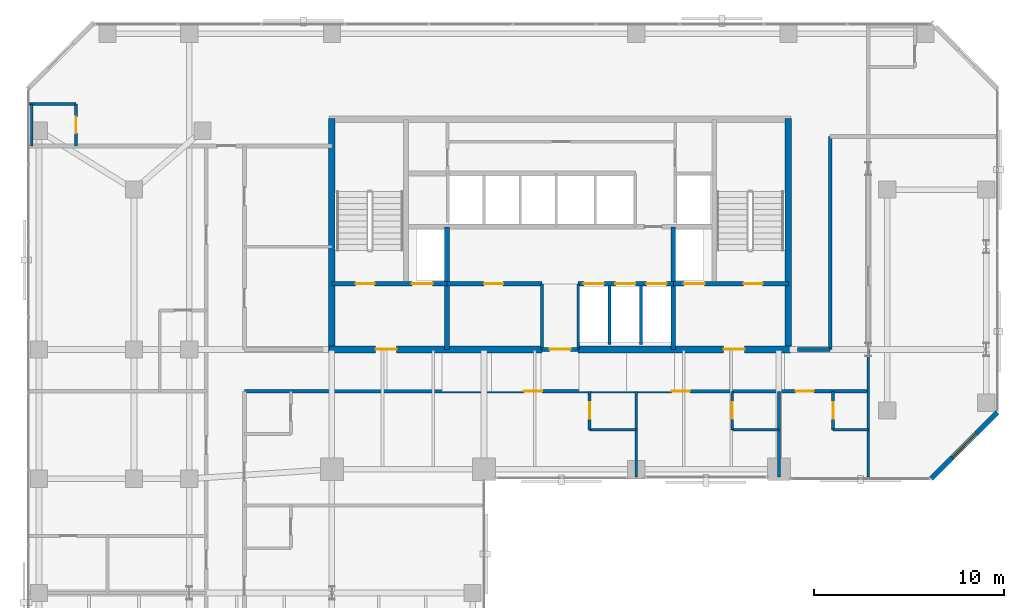
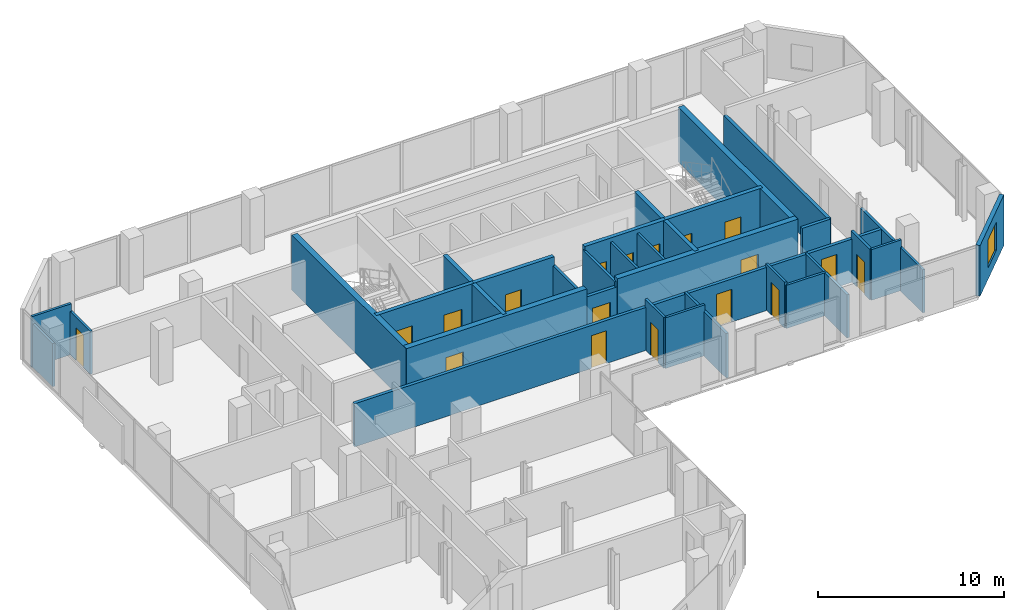
# One storey, part 29 of 34: 31 walls, 18 doors, 1 window, 19 openings.
"""IFC4 building model written with IfcOpenShell, lengths in metres."""

from ifc_helpers import new_model, si_unit, direction, frame, frame_2d, origin, place, context, subcontext, project, spatial, rectangle, extrude, material, layer, layer_set, type_object, element, fill, save


model = new_model("IFC4")

# Units and contexts
model_context = context("Model", 3, precision=1e-05, world=origin(), true_north=direction((0.0, 1.0)))
body_context = subcontext(model_context, "Body", "Model", "MODEL_VIEW")
ifc_project = project(units=[si_unit("LENGTHUNIT", "METRE"), si_unit("AREAUNIT", "SQUARE_METRE"), si_unit("VOLUMEUNIT", "CUBIC_METRE"), si_unit("PLANEANGLEUNIT", "RADIAN"), si_unit("MASSUNIT", "GRAM", prefix="KILO")], contexts=[model_context])

# Site, building, storey
site_placement = place(None, origin())
site = spatial("IfcSite", under=ifc_project, at=site_placement, CompositionType="ELEMENT")
building_placement = place(site_placement, origin())
building = spatial("IfcBuilding", under=site, at=building_placement, Name="Catumbela Crestline Tower", CompositionType="ELEMENT")
storey_placement = place(building_placement, frame((0.0, 0.0, 97.2)))
storey = spatial("IfcBuildingStorey", under=building, at=storey_placement, Name="L24", CompositionType="ELEMENT", Elevation=97.2)

# Walls
ifc_material_1 = material(Name="Concrete C50/60", Category="concrete")
ifc_layer_1 = layer(ifc_material_1, 0.25, Name="Concrete C50/60")
ifc_layer_set_1 = layer_set([ifc_layer_1], Name="Concrete C50/60")
wall_type_1 = type_object("IfcWallType", Name="CW-250D", PredefinedType="SHEAR", material=ifc_layer_set_1)
for number, where, z_axis, x_axis, name in (
    (1, (22.05, 30.8, 0.0), (0.0, 0.0, 1.0), (0.0, 1.0, 0.0), "L24 Structural Core Shear Wall FFW"),
    (2, (33.95, 30.8, 0.0), (0.0, 0.0, 1.0), (0.0, 1.0, 0.0), "L24 Structural Core Shear Wall FFE"),
):
    element("IfcWall", number, at=place(storey_placement, frame(where, z_axis=z_axis, x_axis=x_axis)), inside=storey, type_object=wall_type_1, Name=name, PredefinedType="SHEAR", context=body_context, shape_type="SweptSolid", body=[
        extrude(rectangle(XDim=6.45, YDim=0.25, at=frame_2d((3.225, 0.0))), origin(), (0.0, 0.0, 1.0), 3.6),
    ])

# Wall, openings, doors
wall_1_placement = place(storey_placement, frame((16.0, 34.25, 0.0), z_axis=(0.0, 0.0, 1.0), x_axis=(1.0, 0.0, 0.0)))
wall_1 = element("IfcWall", 3, at=wall_1_placement, inside=storey, type_object=wall_type_1, Name="L24 Structural Core Shear Wall ST1S", PredefinedType="SHEAR", context=body_context, shape_type="SweptSolid", body=[
    extrude(rectangle(XDim=6.05, YDim=0.25, at=frame_2d((3.025, 0.0))), origin(), (0.0, 0.0, 1.0), 3.6),
])
opening_1_placement = place(wall_1_placement, frame((1.25, 0.0, 0.0)))
opening_1 = element("IfcOpeningElement", 4, at=opening_1_placement, cuts=wall_1, Name="Opening DF9-100", PredefinedType="OPENING", context=body_context, shape_type="SweptSolid", body=[
    extrude(rectangle(XDim=1.0, YDim=2.15, at=frame_2d((0.5, 1.075))), frame((0.0, 0.135, 0.0), z_axis=(0.0, -1.0, 0.0), x_axis=(1.0, 0.0, 0.0)), (0.0, 0.0, 1.0), 0.27),
])
opening_2_placement = place(wall_1_placement, frame((4.2, 0.0, 0.0)))
opening_2 = element("IfcOpeningElement", 5, at=opening_2_placement, cuts=wall_1, Name="Opening LD-110", PredefinedType="OPENING", context=body_context, shape_type="SweptSolid", body=[
    extrude(rectangle(XDim=1.1, YDim=2.15, at=frame_2d((0.55, 1.075))), frame((0.0, 0.135, 0.0), z_axis=(0.0, -1.0, 0.0), x_axis=(1.0, 0.0, 0.0)), (0.0, 0.0, 1.0), 0.27),
])
ifc_material_2 = material(Name="Stainless steel EN 1.4401", Category="steel")
door_type_1 = type_object("IfcDoorType", Name="DF9-100", OperationType="NOTDEFINED", PredefinedType="DOOR", material=ifc_material_2)
door_1_placement = place(opening_1_placement, origin())
door_1 = element("IfcDoor", 6, at=door_1_placement, inside=storey, type_object=door_type_1, Name="L24 Interior Door DR-L24-ST01", OperationType="SINGLE_SWING_LEFT", OverallHeight=2.15, OverallWidth=1.0, PredefinedType="DOOR", context=body_context, shape_type="SweptSolid", body=[
    extrude(rectangle(XDim=1.0, YDim=2.15, at=frame_2d((0.5, 1.075))), frame((0.0, 0.025, 0.0), z_axis=(0.0, -1.0, 0.0), x_axis=(1.0, 0.0, 0.0)), (0.0, 0.0, 1.0), 0.05),
])
fill(opening_1, door_1)
door_type_2 = type_object("IfcDoorType", Name="LD-110", OperationType="NOTDEFINED", PredefinedType="DOOR", material=ifc_material_2)
door_2_placement = place(opening_2_placement, origin())
door_2 = element("IfcDoor", 7, at=door_2_placement, inside=storey, type_object=door_type_2, Name="L24 Lift Landing Sliding Door FL-01", OperationType="DOUBLE_DOOR_SLIDING", OverallHeight=2.15, OverallWidth=1.1, PredefinedType="DOOR", context=body_context, shape_type="SweptSolid", body=[
    extrude(rectangle(XDim=1.1, YDim=2.15, at=frame_2d((0.55, 1.075))), frame((0.0, 0.025, 0.0), z_axis=(0.0, -1.0, 0.0), x_axis=(1.0, 0.0, 0.0)), (0.0, 0.0, 1.0), 0.05),
])
fill(opening_2, door_2)

wall_2_placement = place(storey_placement, frame((33.95, 34.25, 0.0), z_axis=(0.0, 0.0, 1.0), x_axis=(1.0, 0.0, 0.0)))
wall_2 = element("IfcWall", 8, at=wall_2_placement, inside=storey, type_object=wall_type_1, Name="L24 Structural Core Shear Wall ST2S", PredefinedType="SHEAR", context=body_context, shape_type="SweptSolid", body=[
    extrude(rectangle(XDim=6.05, YDim=0.25, at=frame_2d((3.025, 0.0))), origin(), (0.0, 0.0, 1.0), 3.6),
])
opening_3_placement = place(wall_2_placement, frame((3.7, 0.0, 0.0)))
opening_3 = element("IfcOpeningElement", 9, at=opening_3_placement, cuts=wall_2, Name="Opening DF9-100", PredefinedType="OPENING", context=body_context, shape_type="SweptSolid", body=[
    extrude(rectangle(XDim=1.0, YDim=2.15, at=frame_2d((0.5, 1.075))), frame((0.0, 0.135, 0.0), z_axis=(0.0, -1.0, 0.0), x_axis=(1.0, 0.0, 0.0)), (0.0, 0.0, 1.0), 0.27),
])
opening_4_placement = place(wall_2_placement, frame((0.55, 0.0, 0.0)))
opening_4 = element("IfcOpeningElement", 10, at=opening_4_placement, cuts=wall_2, Name="Opening LD-110", PredefinedType="OPENING", context=body_context, shape_type="SweptSolid", body=[
    extrude(rectangle(XDim=1.1, YDim=2.15, at=frame_2d((0.55, 1.075))), frame((0.0, 0.135, 0.0), z_axis=(0.0, -1.0, 0.0), x_axis=(1.0, 0.0, 0.0)), (0.0, 0.0, 1.0), 0.27),
])
door_3_placement = place(opening_3_placement, origin())
door_3 = element("IfcDoor", 11, at=door_3_placement, inside=storey, type_object=door_type_1, Name="L24 Interior Door DR-L24-ST02", OperationType="SINGLE_SWING_RIGHT", OverallHeight=2.15, OverallWidth=1.0, PredefinedType="DOOR", context=body_context, shape_type="SweptSolid", body=[
    extrude(rectangle(XDim=1.0, YDim=2.15, at=frame_2d((0.5, 1.075))), frame((0.0, 0.025, 0.0), z_axis=(0.0, -1.0, 0.0), x_axis=(1.0, 0.0, 0.0)), (0.0, 0.0, 1.0), 0.05),
])
fill(opening_3, door_3)
door_4_placement = place(opening_4_placement, origin())
door_4 = element("IfcDoor", 12, at=door_4_placement, inside=storey, type_object=door_type_2, Name="L24 Lift Landing Sliding Door FL-02", OperationType="DOUBLE_DOOR_SLIDING", OverallHeight=2.15, OverallWidth=1.1, PredefinedType="DOOR", context=body_context, shape_type="SweptSolid", body=[
    extrude(rectangle(XDim=1.1, YDim=2.15, at=frame_2d((0.55, 1.075))), frame((0.0, 0.025, 0.0), z_axis=(0.0, -1.0, 0.0), x_axis=(1.0, 0.0, 0.0)), (0.0, 0.0, 1.0), 0.05),
])
fill(opening_4, door_4)

# Wall, opening, door
wall_3_placement = place(storey_placement, frame((22.05, 34.25, 0.0), z_axis=(0.0, 0.0, 1.0), x_axis=(1.0, 0.0, 0.0)))
wall_3 = element("IfcWall", 13, at=wall_3_placement, inside=storey, type_object=wall_type_1, Name="L24 Structural Core Shear Wall LIFTS-W", PredefinedType="SHEAR", context=body_context, shape_type="SweptSolid", body=[
    extrude(rectangle(XDim=5.0, YDim=0.25, at=frame_2d((2.5, 0.0))), origin(), (0.0, 0.0, 1.0), 3.6),
])
opening_5_placement = place(wall_3_placement, frame((1.95, 0.0, 0.0)))
opening_5 = element("IfcOpeningElement", 14, at=opening_5_placement, cuts=wall_3, Name="Opening DF9-100", PredefinedType="OPENING", context=body_context, shape_type="SweptSolid", body=[
    extrude(rectangle(XDim=1.0, YDim=2.15, at=frame_2d((0.5, 1.075))), frame((0.0, 0.135, 0.0), z_axis=(0.0, -1.0, 0.0), x_axis=(1.0, 0.0, 0.0)), (0.0, 0.0, 1.0), 0.27),
])
door_5_placement = place(opening_5_placement, origin())
door_5 = element("IfcDoor", 15, at=door_5_placement, inside=storey, type_object=door_type_1, Name="L24 Interior Door DR-L24-RECL1", OperationType="SINGLE_SWING_LEFT", OverallHeight=2.15, OverallWidth=1.0, PredefinedType="DOOR", context=body_context, shape_type="SweptSolid", body=[
    extrude(rectangle(XDim=1.0, YDim=2.15, at=frame_2d((0.5, 1.075))), frame((0.0, 0.025, 0.0), z_axis=(0.0, -1.0, 0.0), x_axis=(1.0, 0.0, 0.0)), (0.0, 0.0, 1.0), 0.05),
])
fill(opening_5, door_5)

# Wall, openings, doors
wall_4_placement = place(storey_placement, frame((28.95, 34.25, 0.0), z_axis=(0.0, 0.0, 1.0), x_axis=(1.0, 0.0, 0.0)))
wall_4 = element("IfcWall", 16, at=wall_4_placement, inside=storey, type_object=wall_type_1, Name="L24 Structural Core Shear Wall LIFTS-E", PredefinedType="SHEAR", context=body_context, shape_type="SweptSolid", body=[
    extrude(rectangle(XDim=5.0, YDim=0.25, at=frame_2d((2.5, 0.0))), origin(), (0.0, 0.0, 1.0), 3.6),
])
opening_6_placement = place(wall_4_placement, frame((0.3, 0.0, 0.0)))
opening_6 = element("IfcOpeningElement", 17, at=opening_6_placement, cuts=wall_4, Name="Opening LD-105", PredefinedType="OPENING", context=body_context, shape_type="SweptSolid", body=[
    extrude(rectangle(XDim=1.05, YDim=2.15, at=frame_2d((0.525, 1.075))), frame((0.0, 0.135, 0.0), z_axis=(0.0, -1.0, 0.0), x_axis=(1.0, 0.0, 0.0)), (0.0, 0.0, 1.0), 0.27),
])
opening_7_placement = place(wall_4_placement, frame((1.95, 0.0, 0.0)))
opening_7 = element("IfcOpeningElement", 18, at=opening_7_placement, cuts=wall_4, Name="Opening LD-105", PredefinedType="OPENING", context=body_context, shape_type="SweptSolid", body=[
    extrude(rectangle(XDim=1.05, YDim=2.15, at=frame_2d((0.525, 1.075))), frame((0.0, 0.135, 0.0), z_axis=(0.0, -1.0, 0.0), x_axis=(1.0, 0.0, 0.0)), (0.0, 0.0, 1.0), 0.27),
])
opening_8_placement = place(wall_4_placement, frame((3.6, 0.0, 0.0)))
opening_8 = element("IfcOpeningElement", 19, at=opening_8_placement, cuts=wall_4, Name="Opening LD-105", PredefinedType="OPENING", context=body_context, shape_type="SweptSolid", body=[
    extrude(rectangle(XDim=1.05, YDim=2.15, at=frame_2d((0.525, 1.075))), frame((0.0, 0.135, 0.0), z_axis=(0.0, -1.0, 0.0), x_axis=(1.0, 0.0, 0.0)), (0.0, 0.0, 1.0), 0.27),
])
door_type_3 = type_object("IfcDoorType", Name="LD-105", OperationType="NOTDEFINED", PredefinedType="DOOR", material=ifc_material_2)
door_6_placement = place(opening_6_placement, origin())
door_6 = element("IfcDoor", 20, at=door_6_placement, inside=storey, type_object=door_type_3, Name="L24 Lift Landing Sliding Door PL-M1", OperationType="DOUBLE_DOOR_SLIDING", OverallHeight=2.15, OverallWidth=1.05, PredefinedType="DOOR", context=body_context, shape_type="SweptSolid", body=[
    extrude(rectangle(XDim=1.05, YDim=2.15, at=frame_2d((0.525, 1.075))), frame((0.0, 0.025, 0.0), z_axis=(0.0, -1.0, 0.0), x_axis=(1.0, 0.0, 0.0)), (0.0, 0.0, 1.0), 0.05),
])
fill(opening_6, door_6)
door_7_placement = place(opening_7_placement, origin())
door_7 = element("IfcDoor", 21, at=door_7_placement, inside=storey, type_object=door_type_3, Name="L24 Lift Landing Sliding Door PL-M2", OperationType="DOUBLE_DOOR_SLIDING", OverallHeight=2.15, OverallWidth=1.05, PredefinedType="DOOR", context=body_context, shape_type="SweptSolid", body=[
    extrude(rectangle(XDim=1.05, YDim=2.15, at=frame_2d((0.525, 1.075))), frame((0.0, 0.025, 0.0), z_axis=(0.0, -1.0, 0.0), x_axis=(1.0, 0.0, 0.0)), (0.0, 0.0, 1.0), 0.05),
])
fill(opening_7, door_7)
door_8_placement = place(opening_8_placement, origin())
door_8 = element("IfcDoor", 22, at=door_8_placement, inside=storey, type_object=door_type_3, Name="L24 Lift Landing Sliding Door PL-M3", OperationType="DOUBLE_DOOR_SLIDING", OverallHeight=2.15, OverallWidth=1.05, PredefinedType="DOOR", context=body_context, shape_type="SweptSolid", body=[
    extrude(rectangle(XDim=1.05, YDim=2.15, at=frame_2d((0.525, 1.075))), frame((0.0, 0.025, 0.0), z_axis=(0.0, -1.0, 0.0), x_axis=(1.0, 0.0, 0.0)), (0.0, 0.0, 1.0), 0.05),
])
fill(opening_8, door_8)

# Walls
ifc_layer_2 = layer(ifc_material_1, 0.35, Name="Concrete C50/60")
ifc_layer_set_2 = layer_set([ifc_layer_2], Name="Concrete C50/60")
wall_type_2 = type_object("IfcWallType", Name="CW-350B", PredefinedType="SHEAR", material=ifc_layer_set_2)
for number, where, z_axis, x_axis, name in (
    (23, (16.0, 30.65, 0.0), (0.0, 0.0, 1.0), (0.0, 1.0, 0.0), "L24 Structural Core Shear Wall W"),
    (24, (40.0, 30.65, 0.0), (0.0, 0.0, 1.0), (0.0, 1.0, 0.0), "L24 Structural Core Shear Wall E"),
):
    element("IfcWall", number, at=place(storey_placement, frame(where, z_axis=z_axis, x_axis=x_axis)), inside=storey, type_object=wall_type_2, Name=name, PredefinedType="SHEAR", context=body_context, shape_type="SweptSolid", body=[
        extrude(rectangle(XDim=12.3, YDim=0.35, at=frame_2d((6.15, 0.0))), origin(), (0.0, 0.0, 1.0), 3.6),
    ])

# Wall, opening, door
wall_5_placement = place(storey_placement, frame((15.85, 30.8, 0.0), z_axis=(0.0, 0.0, 1.0), x_axis=(1.0, 0.0, 0.0)))
wall_5 = element("IfcWall", 25, at=wall_5_placement, inside=storey, type_object=wall_type_2, Name="L24 Structural Core Shear Wall SW", PredefinedType="SHEAR", context=body_context, shape_type="SweptSolid", body=[
    extrude(rectangle(XDim=11.2, YDim=0.35, at=frame_2d((5.6, 0.0))), origin(), (0.0, 0.0, 1.0), 3.6),
])
opening_9_placement = place(wall_5_placement, frame((2.45, 0.0, 0.0)))
opening_9 = element("IfcOpeningElement", 26, at=opening_9_placement, cuts=wall_5, Name="Opening DF9-110", PredefinedType="OPENING", context=body_context, shape_type="SweptSolid", body=[
    extrude(rectangle(XDim=1.1, YDim=2.15, at=frame_2d((0.55, 1.075))), frame((0.0, 0.185, 0.0), z_axis=(0.0, -1.0, 0.0), x_axis=(1.0, 0.0, 0.0)), (0.0, 0.0, 1.0), 0.37),
])
door_type_4 = type_object("IfcDoorType", Name="DF9-110", OperationType="NOTDEFINED", PredefinedType="DOOR", material=ifc_material_2)
door_9_placement = place(opening_9_placement, origin())
door_9 = element("IfcDoor", 27, at=door_9_placement, inside=storey, type_object=door_type_4, Name="L24 Interior Door DR-L24-FFW-S", OperationType="SINGLE_SWING_LEFT", OverallHeight=2.15, OverallWidth=1.1, PredefinedType="DOOR", context=body_context, shape_type="SweptSolid", body=[
    extrude(rectangle(XDim=1.1, YDim=2.15, at=frame_2d((0.55, 1.075))), frame((0.0, 0.025, 0.0), z_axis=(0.0, -1.0, 0.0), x_axis=(1.0, 0.0, 0.0)), (0.0, 0.0, 1.0), 0.05),
])
fill(opening_9, door_9)

wall_6_placement = place(storey_placement, frame((28.95, 30.8, 0.0), z_axis=(0.0, 0.0, 1.0), x_axis=(1.0, 0.0, 0.0)))
wall_6 = element("IfcWall", 28, at=wall_6_placement, inside=storey, type_object=wall_type_2, Name="L24 Structural Core Shear Wall SE", PredefinedType="SHEAR", context=body_context, shape_type="SweptSolid", body=[
    extrude(rectangle(XDim=11.2, YDim=0.35, at=frame_2d((5.6, 0.0))), origin(), (0.0, 0.0, 1.0), 3.6),
])
opening_10_placement = place(wall_6_placement, frame((7.65, 0.0, 0.0)))
opening_10 = element("IfcOpeningElement", 29, at=opening_10_placement, cuts=wall_6, Name="Opening DF9-110", PredefinedType="OPENING", context=body_context, shape_type="SweptSolid", body=[
    extrude(rectangle(XDim=1.1, YDim=2.15, at=frame_2d((0.55, 1.075))), frame((0.0, 0.185, 0.0), z_axis=(0.0, -1.0, 0.0), x_axis=(1.0, 0.0, 0.0)), (0.0, 0.0, 1.0), 0.37),
])
door_10_placement = place(opening_10_placement, origin())
door_10 = element("IfcDoor", 30, at=door_10_placement, inside=storey, type_object=door_type_4, Name="L24 Interior Door DR-L24-FFE-S", OperationType="SINGLE_SWING_RIGHT", OverallHeight=2.15, OverallWidth=1.1, PredefinedType="DOOR", context=body_context, shape_type="SweptSolid", body=[
    extrude(rectangle(XDim=1.1, YDim=2.15, at=frame_2d((0.55, 1.075))), frame((0.0, 0.025, 0.0), z_axis=(0.0, -1.0, 0.0), x_axis=(1.0, 0.0, 0.0)), (0.0, 0.0, 1.0), 0.05),
])
fill(opening_10, door_10)

ifc_material_3 = material(Name="Acoustic gypsum and mineral-wool partition")
ifc_layer_3 = layer(ifc_material_3, 0.2, Name="Acoustic gypsum and mineral-wool partition")
ifc_layer_set_3 = layer_set([ifc_layer_3], Name="Acoustic gypsum and mineral-wool partition")
wall_type_3 = type_object("IfcWallType", Name="WC-200", PredefinedType="PARTITIONING", material=ifc_layer_set_3)
wall_7_placement = place(storey_placement, frame((27.05, 30.8, 0.0), z_axis=(0.0, 0.0, 1.0), x_axis=(1.0, 0.0, 0.0)))
wall_7 = element("IfcWall", 31, at=wall_7_placement, inside=storey, type_object=wall_type_3, Name="L24 Interior Partition PW-L24-CLOBS", PredefinedType="PARTITIONING", context=body_context, shape_type="SweptSolid", body=[
    extrude(rectangle(XDim=1.9, YDim=0.2, at=frame_2d((0.95, 0.0))), origin(), (0.0, 0.0, 1.0), 3.02),
])
opening_11_placement = place(wall_7_placement, frame((0.4, 0.0, 0.0)))
opening_11 = element("IfcOpeningElement", 32, at=opening_11_placement, cuts=wall_7, Name="Opening DF9-110", PredefinedType="OPENING", context=body_context, shape_type="SweptSolid", body=[
    extrude(rectangle(XDim=1.1, YDim=2.15, at=frame_2d((0.55, 1.075))), frame((0.0, 0.11, 0.0), z_axis=(0.0, -1.0, 0.0), x_axis=(1.0, 0.0, 0.0)), (0.0, 0.0, 1.0), 0.22),
])
door_11_placement = place(opening_11_placement, origin())
door_11 = element("IfcDoor", 33, at=door_11_placement, inside=storey, type_object=door_type_4, Name="L24 Interior Door DR-L24-CLOBS", OperationType="SINGLE_SWING_LEFT", OverallHeight=2.15, OverallWidth=1.1, PredefinedType="DOOR", context=body_context, shape_type="SweptSolid", body=[
    extrude(rectangle(XDim=1.1, YDim=2.15, at=frame_2d((0.55, 1.075))), frame((0.0, 0.025, 0.0), z_axis=(0.0, -1.0, 0.0), x_axis=(1.0, 0.0, 0.0)), (0.0, 0.0, 1.0), 0.05),
])
fill(opening_11, door_11)

# Wall, openings, doors
wall_8_placement = place(storey_placement, frame((11.4, 28.6, 0.0), z_axis=(0.0, 0.0, 1.0), x_axis=(1.0, 0.0, 0.0)))
wall_8 = element("IfcWall", 34, at=wall_8_placement, inside=storey, type_object=wall_type_3, Name="L24 Interior Partition PW-L24-Z2CW-N2", PredefinedType="PARTITIONING", context=body_context, shape_type="SweptSolid", body=[
    extrude(rectangle(XDim=32.8, YDim=0.2, at=frame_2d((16.4, 0.0))), origin(), (0.0, 0.0, 1.0), 2.83),
])
opening_12_placement = place(wall_8_placement, frame((14.7, 0.0, 0.0)))
opening_12 = element("IfcOpeningElement", 35, at=opening_12_placement, cuts=wall_8, Name="Opening DF6-095", PredefinedType="OPENING", context=body_context, shape_type="SweptSolid", body=[
    extrude(rectangle(XDim=0.95, YDim=2.15, at=frame_2d((0.475, 1.075))), frame((0.0, 0.11, 0.0), z_axis=(0.0, -1.0, 0.0), x_axis=(1.0, 0.0, 0.0)), (0.0, 0.0, 1.0), 0.22),
])
opening_13_placement = place(wall_8_placement, frame((22.475, 0.0, 0.0)))
opening_13 = element("IfcOpeningElement", 36, at=opening_13_placement, cuts=wall_8, Name="Opening DF6-095", PredefinedType="OPENING", context=body_context, shape_type="SweptSolid", body=[
    extrude(rectangle(XDim=0.95, YDim=2.15, at=frame_2d((0.475, 1.075))), frame((0.0, 0.11, 0.0), z_axis=(0.0, -1.0, 0.0), x_axis=(1.0, 0.0, 0.0)), (0.0, 0.0, 1.0), 0.22),
])
opening_14_placement = place(wall_8_placement, frame((28.985, 0.0, 0.0)))
opening_14 = element("IfcOpeningElement", 37, at=opening_14_placement, cuts=wall_8, Name="Opening DF6-095", PredefinedType="OPENING", context=body_context, shape_type="SweptSolid", body=[
    extrude(rectangle(XDim=0.95, YDim=2.15, at=frame_2d((0.475, 1.075))), frame((0.0, 0.11, 0.0), z_axis=(0.0, -1.0, 0.0), x_axis=(1.0, 0.0, 0.0)), (0.0, 0.0, 1.0), 0.22),
])
ifc_material_4 = material(Name="Aluminium alloy AW-6060-T66", Category="aluminium")
door_type_5 = type_object("IfcDoorType", Name="DF6-095", OperationType="NOTDEFINED", PredefinedType="DOOR", material=ifc_material_4)
door_12_placement = place(opening_12_placement, origin())
door_12 = element("IfcDoor", 38, at=door_12_placement, inside=storey, type_object=door_type_5, Name="L24 Interior Door DR-L24-SS1-ENT", OperationType="SINGLE_SWING_RIGHT", OverallHeight=2.15, OverallWidth=0.95, PredefinedType="DOOR", context=body_context, shape_type="SweptSolid", body=[
    extrude(rectangle(XDim=0.95, YDim=2.15, at=frame_2d((0.475, 1.075))), frame((0.0, 0.025, 0.0), z_axis=(0.0, -1.0, 0.0), x_axis=(1.0, 0.0, 0.0)), (0.0, 0.0, 1.0), 0.05),
])
fill(opening_12, door_12)
door_13_placement = place(opening_13_placement, origin())
door_13 = element("IfcDoor", 39, at=door_13_placement, inside=storey, type_object=door_type_5, Name="L24 Interior Door DR-L24-SS2-ENT", OperationType="SINGLE_SWING_LEFT", OverallHeight=2.15, OverallWidth=0.95, PredefinedType="DOOR", context=body_context, shape_type="SweptSolid", body=[
    extrude(rectangle(XDim=0.95, YDim=2.15, at=frame_2d((0.475, 1.075))), frame((0.0, 0.025, 0.0), z_axis=(0.0, -1.0, 0.0), x_axis=(1.0, 0.0, 0.0)), (0.0, 0.0, 1.0), 0.05),
])
fill(opening_13, door_13)
door_14_placement = place(opening_14_placement, origin())
door_14 = element("IfcDoor", 40, at=door_14_placement, inside=storey, type_object=door_type_5, Name="L24 Interior Door DR-L24-SS3-ENT", OperationType="SINGLE_SWING_RIGHT", OverallHeight=2.15, OverallWidth=0.95, PredefinedType="DOOR", context=body_context, shape_type="SweptSolid", body=[
    extrude(rectangle(XDim=0.95, YDim=2.15, at=frame_2d((0.475, 1.075))), frame((0.0, 0.025, 0.0), z_axis=(0.0, -1.0, 0.0), x_axis=(1.0, 0.0, 0.0)), (0.0, 0.0, 1.0), 0.05),
])
fill(opening_14, door_14)

# Walls
wall_9_placement = place(storey_placement, frame((40.47, 30.8, 0.0), z_axis=(0.0, 0.0, 1.0), x_axis=(1.0, 0.0, 0.0)))
element("IfcWall", 41, at=wall_9_placement, inside=storey, type_object=wall_type_3, Name="L24 Interior Partition PW-L24-Z2CW-E1", PredefinedType="PARTITIONING", context=body_context, shape_type="SweptSolid", body=[
    extrude(rectangle(XDim=1.73, YDim=0.2, at=frame_2d((0.865, 0.0))), origin(), (0.0, 0.0, 1.0), 2.83),
])
wall_10_placement = place(storey_placement, frame((42.2, 30.8, 0.0), z_axis=(0.0, 0.0, 1.0), x_axis=(0.0, 1.0, 0.0)))
element("IfcWall", 42, at=wall_10_placement, inside=storey, type_object=wall_type_3, Name="L24 Interior Partition PW-L24-Z2CW-E2", PredefinedType="PARTITIONING", context=body_context, shape_type="SweptSolid", body=[
    extrude(rectangle(XDim=11.2, YDim=0.2, at=frame_2d((5.6, 0.0))), origin(), (0.0, 0.0, 1.0), 2.83),
])

# Wall, opening, window
ifc_material_5 = material(Name="Angolan grey-ochre granite", Category="masonry")
ifc_layer_4 = layer(ifc_material_5, 0.25, Name="Angolan grey-ochre granite")
ifc_layer_set_4 = layer_set([ifc_layer_4], Name="Angolan grey-ochre granite")
wall_type_4 = type_object("IfcWallType", Name="WE-250", PredefinedType="STANDARD", material=ifc_layer_set_4)
wall_11_placement = place(storey_placement, frame((47.5, 24.0, 0.0), z_axis=(0.0, 0.0, 1.0), x_axis=(0.707106781187, 0.707106781187, 0.0)))
wall_11 = element("IfcWall", 43, at=wall_11_placement, inside=storey, type_object=wall_type_4, Name="L24 Granite Punched Window Wall 4-1", PredefinedType="STANDARD", context=body_context, shape_type="SweptSolid", body=[
    extrude(rectangle(XDim=4.9497, YDim=0.25, at=frame_2d((2.4748, 0.0))), origin(), (0.0, 0.0, 1.0), 3.33),
])
opening_15_placement = place(wall_11_placement, frame((1.5749, 0.0, 0.75)))
opening_15 = element("IfcOpeningElement", 44, at=opening_15_placement, cuts=wall_11, Name="Opening WN-01", PredefinedType="OPENING", context=body_context, shape_type="SweptSolid", body=[
    extrude(rectangle(XDim=1.8, YDim=1.85, at=frame_2d((0.9, 0.925))), frame((0.0, 0.135, 0.0), z_axis=(0.0, -1.0, 0.0), x_axis=(1.0, 0.0, 0.0)), (0.0, 0.0, 1.0), 0.27),
])
ifc_material_6 = material(Name="Low-E laminated solar-control double glazing", Category="glass")
window_type = type_object("IfcWindowType", Name="WF-1800", PartitioningType="SINGLE_PANEL", PredefinedType="WINDOW", material=ifc_material_6)
window_placement = place(opening_15_placement, origin())
window = element("IfcWindow", 45, at=window_placement, inside=storey, type_object=window_type, Name="L24 Facade Vision Window 141", OverallHeight=1.85, OverallWidth=1.8, PartitioningType="SINGLE_PANEL", PredefinedType="WINDOW", context=body_context, shape_type="SweptSolid", body=[
    extrude(rectangle(XDim=1.8, YDim=1.85, at=frame_2d((0.9, 0.925))), frame((0.0, 0.03, 0.0), z_axis=(0.0, -1.0, 0.0), x_axis=(1.0, 0.0, 0.0)), (0.0, 0.0, 1.0), 0.06),
])
fill(opening_15, window)

# Wall
ifc_layer_5 = layer(ifc_material_3, 0.15, Name="Acoustic gypsum and mineral-wool partition")
ifc_layer_set_5 = layer_set([ifc_layer_5], Name="Acoustic gypsum and mineral-wool partition")
wall_type_5 = type_object("IfcWallType", Name="WP-150", PredefinedType="PARTITIONING", material=ifc_layer_set_5)
wall_12_placement = place(storey_placement, frame((0.1, 43.7, 0.0), z_axis=(0.0, 0.0, 1.0), x_axis=(1.0, 0.0, 0.0)))
element("IfcWall", 46, at=wall_12_placement, inside=storey, type_object=wall_type_5, Name="L24 Interior Partition PW-L24-Z2NWT-BHW", PredefinedType="PARTITIONING", context=body_context, shape_type="SweptSolid", body=[
    extrude(rectangle(XDim=2.45, YDim=0.15, at=frame_2d((1.225, 0.0))), origin(), (0.0, 0.0, 1.0), 3.33),
])

# Wall, opening, door
wall_13_placement = place(storey_placement, frame((2.55, 41.5, 0.0), z_axis=(0.0, 0.0, 1.0), x_axis=(0.0, 1.0, 0.0)))
wall_13 = element("IfcWall", 47, at=wall_13_placement, inside=storey, type_object=wall_type_5, Name="L24 Interior Partition PW-L24-Z2NWT-BEW", PredefinedType="PARTITIONING", context=body_context, shape_type="SweptSolid", body=[
    extrude(rectangle(XDim=2.2, YDim=0.15, at=frame_2d((1.1, 0.0))), origin(), (0.0, 0.0, 1.0), 2.83),
])
opening_16_placement = place(wall_13_placement, frame((0.675, 0.0, 0.0)))
opening_16 = element("IfcOpeningElement", 48, at=opening_16_placement, cuts=wall_13, Name="Opening DI-085", PredefinedType="OPENING", context=body_context, shape_type="SweptSolid", body=[
    extrude(rectangle(XDim=0.85, YDim=2.15, at=frame_2d((0.425, 1.075))), frame((0.0, 0.085, 0.0), z_axis=(0.0, -1.0, 0.0), x_axis=(1.0, 0.0, 0.0)), (0.0, 0.0, 1.0), 0.17),
])
door_type_6 = type_object("IfcDoorType", Name="DI-085", OperationType="NOTDEFINED", PredefinedType="DOOR", material=ifc_material_4)
door_15_placement = place(opening_16_placement, origin())
door_15 = element("IfcDoor", 49, at=door_15_placement, inside=storey, type_object=door_type_6, Name="L24 Interior Door DR-L24-Z2NWT-BTH", OperationType="SINGLE_SWING_LEFT", OverallHeight=2.15, OverallWidth=0.85, PredefinedType="DOOR", context=body_context, shape_type="SweptSolid", body=[
    extrude(rectangle(XDim=0.85, YDim=2.15, at=frame_2d((0.425, 1.075))), frame((0.0, 0.025, 0.0), z_axis=(0.0, -1.0, 0.0), x_axis=(1.0, 0.0, 0.0)), (0.0, 0.0, 1.0), 0.05),
])
fill(opening_16, door_15)

# Walls
wall_14_placement = place(storey_placement, frame((0.22, 41.5, 0.0), z_axis=(0.0, 0.0, 1.0), x_axis=(0.0, 1.0, 0.0)))
element("IfcWall", 50, at=wall_14_placement, inside=storey, type_object=wall_type_5, Name="L24 Interior Partition PW-L24-Z2NWT-BCL-2", PredefinedType="PARTITIONING", context=body_context, shape_type="SweptSolid", body=[
    extrude(rectangle(XDim=2.2, YDim=0.15, at=frame_2d((1.1, 0.0))), origin(), (0.0, 0.0, 1.0), 2.83),
])
wall_15_placement = place(storey_placement, frame((29.55, 26.576, 0.0), z_axis=(0.0, 0.0, 1.0), x_axis=(1.0, 0.0, 0.0)))
element("IfcWall", 51, at=wall_15_placement, inside=storey, type_object=wall_type_5, Name="L24 Interior Partition PW-L24-SS1-BHW", PredefinedType="PARTITIONING", context=body_context, shape_type="SweptSolid", body=[
    extrude(rectangle(XDim=2.45, YDim=0.15, at=frame_2d((1.225, 0.0))), origin(), (0.0, 0.0, 1.0), 3.33),
])

# Wall, opening, door
wall_16_placement = place(storey_placement, frame((29.55, 26.576, 0.0), z_axis=(0.0, 0.0, 1.0), x_axis=(0.0, 1.0, 0.0)))
wall_16 = element("IfcWall", 52, at=wall_16_placement, inside=storey, type_object=wall_type_5, Name="L24 Interior Partition PW-L24-SS1-BWW", PredefinedType="PARTITIONING", context=body_context, shape_type="SweptSolid", body=[
    extrude(rectangle(XDim=2.024, YDim=0.15, at=frame_2d((1.012, 0.0))), origin(), (0.0, 0.0, 1.0), 3.33),
])
opening_17_placement = place(wall_16_placement, frame((0.587, 0.0, 0.0)))
opening_17 = element("IfcOpeningElement", 53, at=opening_17_placement, cuts=wall_16, Name="Opening DI-085", PredefinedType="OPENING", context=body_context, shape_type="SweptSolid", body=[
    extrude(rectangle(XDim=0.85, YDim=2.15, at=frame_2d((0.425, 1.075))), frame((0.0, 0.085, 0.0), z_axis=(0.0, -1.0, 0.0), x_axis=(1.0, 0.0, 0.0)), (0.0, 0.0, 1.0), 0.17),
])
door_16_placement = place(opening_17_placement, origin())
door_16 = element("IfcDoor", 54, at=door_16_placement, inside=storey, type_object=door_type_6, Name="L24 Interior Door DR-L24-SS1-BTH", OperationType="SINGLE_SWING_RIGHT", OverallHeight=2.15, OverallWidth=0.85, PredefinedType="DOOR", context=body_context, shape_type="SweptSolid", body=[
    extrude(rectangle(XDim=0.85, YDim=2.15, at=frame_2d((0.425, 1.075))), frame((0.0, 0.025, 0.0), z_axis=(0.0, -1.0, 0.0), x_axis=(1.0, 0.0, 0.0)), (0.0, 0.0, 1.0), 0.05),
])
fill(opening_17, door_16)

# Walls
wall_17_placement = place(storey_placement, frame((32.0, 28.6, 0.0), z_axis=(0.0, 0.0, 1.0), x_axis=(0.0, -1.0, 0.0)))
element("IfcWall", 55, at=wall_17_placement, inside=storey, type_object=wall_type_5, Name="L24 Interior Partition PW-L24-SS1-BCL-2", PredefinedType="PARTITIONING", context=body_context, shape_type="SweptSolid", body=[
    extrude(rectangle(XDim=4.5, YDim=0.15, at=frame_2d((2.25, 0.0))), origin(), (0.0, 0.0, 1.0), 2.92),
])
wall_18_placement = place(storey_placement, frame((37.05, 26.576, 0.0), z_axis=(0.0, 0.0, 1.0), x_axis=(1.0, 0.0, 0.0)))
element("IfcWall", 56, at=wall_18_placement, inside=storey, type_object=wall_type_5, Name="L24 Interior Partition PW-L24-SS2-BHW", PredefinedType="PARTITIONING", context=body_context, shape_type="SweptSolid", body=[
    extrude(rectangle(XDim=2.45, YDim=0.15, at=frame_2d((1.225, 0.0))), origin(), (0.0, 0.0, 1.0), 2.83),
])

# Wall, opening, door
wall_19_placement = place(storey_placement, frame((37.05, 26.576, 0.0), z_axis=(0.0, 0.0, 1.0), x_axis=(0.0, 1.0, 0.0)))
wall_19 = element("IfcWall", 57, at=wall_19_placement, inside=storey, type_object=wall_type_5, Name="L24 Interior Partition PW-L24-SS2-BWW", PredefinedType="PARTITIONING", context=body_context, shape_type="SweptSolid", body=[
    extrude(rectangle(XDim=2.024, YDim=0.15, at=frame_2d((1.012, 0.0))), origin(), (0.0, 0.0, 1.0), 3.02),
])
opening_18_placement = place(wall_19_placement, frame((0.587, 0.0, 0.0)))
opening_18 = element("IfcOpeningElement", 58, at=opening_18_placement, cuts=wall_19, Name="Opening DI-085", PredefinedType="OPENING", context=body_context, shape_type="SweptSolid", body=[
    extrude(rectangle(XDim=0.85, YDim=2.15, at=frame_2d((0.425, 1.075))), frame((0.0, 0.085, 0.0), z_axis=(0.0, -1.0, 0.0), x_axis=(1.0, 0.0, 0.0)), (0.0, 0.0, 1.0), 0.17),
])
door_17_placement = place(opening_18_placement, origin())
door_17 = element("IfcDoor", 59, at=door_17_placement, inside=storey, type_object=door_type_6, Name="L24 Interior Door DR-L24-SS2-BTH", OperationType="SINGLE_SWING_RIGHT", OverallHeight=2.15, OverallWidth=0.85, PredefinedType="DOOR", context=body_context, shape_type="SweptSolid", body=[
    extrude(rectangle(XDim=0.85, YDim=2.15, at=frame_2d((0.425, 1.075))), frame((0.0, 0.025, 0.0), z_axis=(0.0, -1.0, 0.0), x_axis=(1.0, 0.0, 0.0)), (0.0, 0.0, 1.0), 0.05),
])
fill(opening_18, door_17)

# Walls
wall_20_placement = place(storey_placement, frame((39.5, 28.6, 0.0), z_axis=(0.0, 0.0, 1.0), x_axis=(0.0, -1.0, 0.0)))
element("IfcWall", 60, at=wall_20_placement, inside=storey, type_object=wall_type_5, Name="L24 Interior Partition PW-L24-SS2-BCL-2", PredefinedType="PARTITIONING", context=body_context, shape_type="SweptSolid", body=[
    extrude(rectangle(XDim=4.5, YDim=0.15, at=frame_2d((2.25, 0.0))), origin(), (0.0, 0.0, 1.0), 2.83),
])
wall_21_placement = place(storey_placement, frame((42.35, 26.576, 0.0), z_axis=(0.0, 0.0, 1.0), x_axis=(1.0, 0.0, 0.0)))
element("IfcWall", 61, at=wall_21_placement, inside=storey, type_object=wall_type_5, Name="L24 Interior Partition PW-L24-SS3-BHW", PredefinedType="PARTITIONING", context=body_context, shape_type="SweptSolid", body=[
    extrude(rectangle(XDim=1.85, YDim=0.15, at=frame_2d((0.925, 0.0))), origin(), (0.0, 0.0, 1.0), 3.33),
])

# Wall, opening, door
wall_22_placement = place(storey_placement, frame((42.35, 26.576, 0.0), z_axis=(0.0, 0.0, 1.0), x_axis=(0.0, 1.0, 0.0)))
wall_22 = element("IfcWall", 62, at=wall_22_placement, inside=storey, type_object=wall_type_5, Name="L24 Interior Partition PW-L24-SS3-BWW", PredefinedType="PARTITIONING", context=body_context, shape_type="SweptSolid", body=[
    extrude(rectangle(XDim=2.024, YDim=0.15, at=frame_2d((1.012, 0.0))), origin(), (0.0, 0.0, 1.0), 3.33),
])
opening_19_placement = place(wall_22_placement, frame((0.587, 0.0, 0.0)))
opening_19 = element("IfcOpeningElement", 63, at=opening_19_placement, cuts=wall_22, Name="Opening DI-085", PredefinedType="OPENING", context=body_context, shape_type="SweptSolid", body=[
    extrude(rectangle(XDim=0.85, YDim=2.15, at=frame_2d((0.425, 1.075))), frame((0.0, 0.085, 0.0), z_axis=(0.0, -1.0, 0.0), x_axis=(1.0, 0.0, 0.0)), (0.0, 0.0, 1.0), 0.17),
])
door_18_placement = place(opening_19_placement, origin())
door_18 = element("IfcDoor", 64, at=door_18_placement, inside=storey, type_object=door_type_6, Name="L24 Interior Door DR-L24-SS3-BTH", OperationType="SINGLE_SWING_RIGHT", OverallHeight=2.15, OverallWidth=0.85, PredefinedType="DOOR", context=body_context, shape_type="SweptSolid", body=[
    extrude(rectangle(XDim=0.85, YDim=2.15, at=frame_2d((0.425, 1.075))), frame((0.0, 0.025, 0.0), z_axis=(0.0, -1.0, 0.0), x_axis=(1.0, 0.0, 0.0)), (0.0, 0.0, 1.0), 0.05),
])
fill(opening_19, door_18)

# Walls
wall_23_placement = place(storey_placement, frame((44.2, 30.8, 0.0), z_axis=(0.0, 0.0, 1.0), x_axis=(0.0, -1.0, 0.0)))
element("IfcWall", 65, at=wall_23_placement, inside=storey, type_object=wall_type_5, Name="L24 Interior Partition PW-L24-SS3-BCL-2", PredefinedType="PARTITIONING", context=body_context, shape_type="SweptSolid", body=[
    extrude(rectangle(XDim=6.7, YDim=0.15, at=frame_2d((3.35, 0.0))), origin(), (0.0, 0.0, 1.0), 2.83),
])
ifc_layer_6 = layer(ifc_material_3, 0.15, Name="Acoustic gypsum and mineral-wool partition")
ifc_layer_set_6 = layer_set([ifc_layer_6], Name="Acoustic gypsum and mineral-wool partition")
wall_type_6 = type_object("IfcWallType", Name="WS-150", PredefinedType="PLUMBINGWALL", material=ifc_layer_set_6)
wall_24_placement = place(storey_placement, frame((27.05, 30.8, 0.0), z_axis=(0.0, 0.0, 1.0), x_axis=(0.0, 1.0, 0.0)))
element("IfcWall", 66, at=wall_24_placement, inside=storey, type_object=wall_type_6, Name="L24 Interior Partition PW-L24-THRW", PredefinedType="PLUMBINGWALL", context=body_context, shape_type="SweptSolid", body=[
    extrude(rectangle(XDim=3.45, YDim=0.15, at=frame_2d((1.725, 0.0))), origin(), (0.0, 0.0, 1.0), 3.02),
])
wall_25_placement = place(storey_placement, frame((28.95, 30.8, 0.0), z_axis=(0.0, 0.0, 1.0), x_axis=(0.0, 1.0, 0.0)))
element("IfcWall", 67, at=wall_25_placement, inside=storey, type_object=wall_type_6, Name="L24 Interior Partition PW-L24-THRE", PredefinedType="PLUMBINGWALL", context=body_context, shape_type="SweptSolid", body=[
    extrude(rectangle(XDim=3.45, YDim=0.15, at=frame_2d((1.725, 0.0))), origin(), (0.0, 0.0, 1.0), 3.33),
])
for number, where, z_axis, x_axis, name in (
    (68, (30.6, 31.05, 0.0), (0.0, 0.0, 1.0), (0.0, 1.0, 0.0), "L24 Interior Partition PW-L24-SHM1"),
    (69, (32.25, 31.05, 0.0), (0.0, 0.0, 1.0), (0.0, 1.0, 0.0), "L24 Interior Partition PW-L24-SHM2"),
):
    element("IfcWall", number, at=place(storey_placement, frame(where, z_axis=z_axis, x_axis=x_axis)), inside=storey, type_object=wall_type_6, Name=name, PredefinedType="PLUMBINGWALL", context=body_context, shape_type="SweptSolid", body=[
        extrude(rectangle(XDim=3.1, YDim=0.15, at=frame_2d((1.55, 0.0))), origin(), (0.0, 0.0, 1.0), 3.33),
    ])

save(model, "model.ifc")
